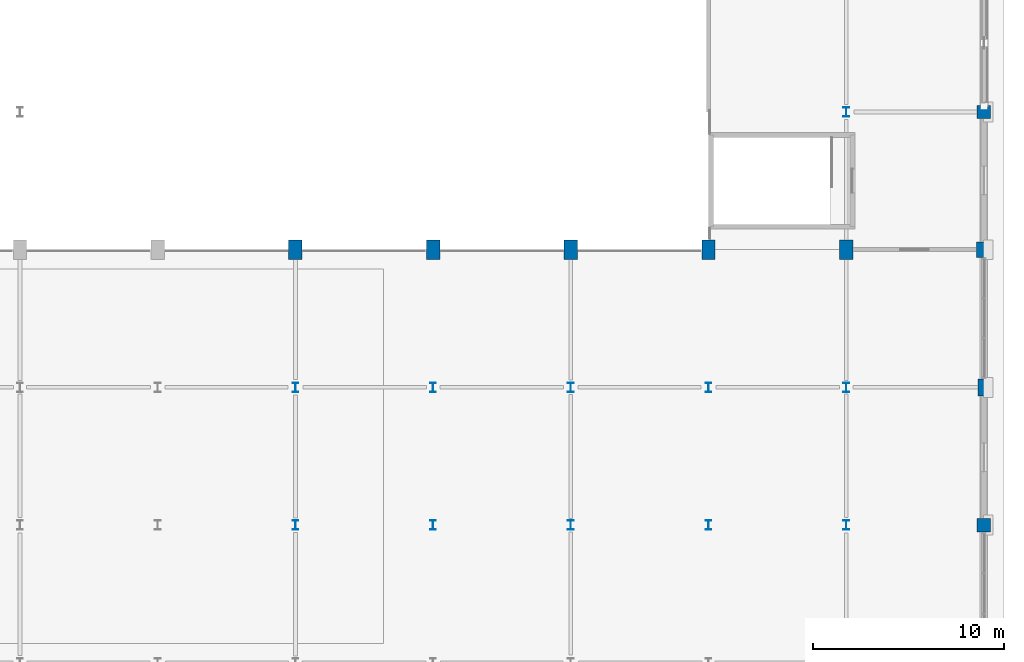
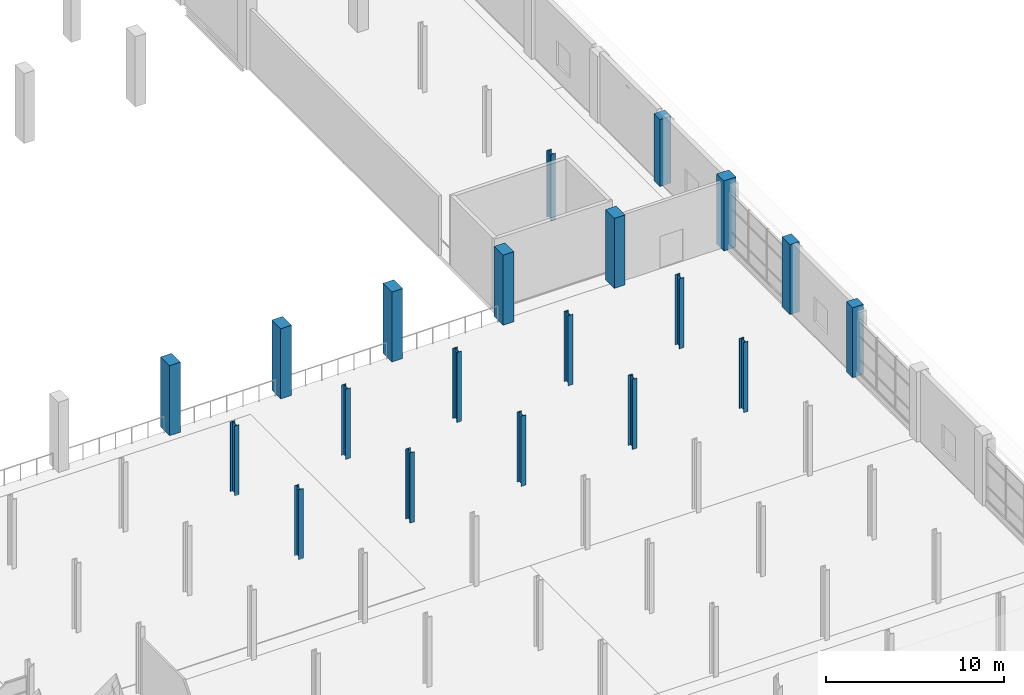
# One storey, part 14 of 82: 20 columns.
"""IFC4 building model written with IfcOpenShell, lengths in metres."""

from ifc_helpers import new_model, si_unit, direction, frame, origin, origin_2d, place, context, subcontext, project, spatial, rectangle, i_section, extrude, material, material_profile, profile_set, type_object, element, save


model = new_model("IFC4")

# Units and contexts
model_context = context("Model", 3, precision=1e-05, world=origin(), true_north=direction((0.0, 1.0)))
body_context = subcontext(model_context, "Body", "Model", "MODEL_VIEW")
ifc_project = project(units=[si_unit("LENGTHUNIT", "METRE"), si_unit("AREAUNIT", "SQUARE_METRE"), si_unit("VOLUMEUNIT", "CUBIC_METRE"), si_unit("PLANEANGLEUNIT", "RADIAN"), si_unit("MASSUNIT", "GRAM", prefix="KILO")], contexts=[model_context])

# Site, building, storey
site_placement = place(None, origin())
site = spatial("IfcSite", under=ifc_project, at=site_placement, CompositionType="ELEMENT")
building_placement = place(site_placement, origin())
building = spatial("IfcBuilding", under=site, at=building_placement, Name="Sardonyx Promenade Sports Hall", CompositionType="ELEMENT")
storey_placement = place(building_placement, frame((0.0, 0.0, 11.199951171875)))
storey = spatial("IfcBuildingStorey", under=building, at=storey_placement, Name="L02", CompositionType="ELEMENT", Elevation=11.199951171875)

# Columns
ifc_material_1 = material(Name="Concrete C40/50", Category="concrete")
ifc_material_profile_1 = material_profile(ifc_material_1, rectangle(XDim=0.60009765625, YDim=0.89990234375, at=origin_2d()))
ifc_profile_set_1 = profile_set([ifc_material_profile_1], Name="Concrete C40/50")
column_type_1 = type_object("IfcColumnType", Name="Col_Ext_RC600x900", PredefinedType="COLUMN", material=ifc_profile_set_1)
column_1_placement = place(storey_placement, frame((165.60009765625, 43.199951171875, 0.0), z_axis=(0.0, 0.0, 1.0), x_axis=(1.0, 0.0, 0.0)))
element("IfcColumn", 1, at=column_1_placement, inside=storey, type_object=column_type_1, Name="Column CE12 L02 (165.6,43.2)", PredefinedType="COLUMN", context=body_context, shape_type="SweptSolid", body=[
    extrude(rectangle(XDim=0.60009765625, YDim=0.89990234375, at=origin_2d()), origin(), (0.0, 0.0, 1.0), 4.800048828125),
])
ifc_material_2 = material(Name="Concrete C40/50", Category="concrete")
ifc_material_profile_2 = material_profile(ifc_material_2, rectangle(XDim=0.699951171875, YDim=0.699951171875, at=origin_2d()))
ifc_profile_set_2 = profile_set([ifc_material_profile_2], Name="Concrete C40/50")
column_type_2 = type_object("IfcColumnType", Name="Col_Ext_RC700", PredefinedType="COLUMN", material=ifc_profile_set_2)
column_2_placement = place(storey_placement, frame((165.60009765625, 36.0, 0.0), z_axis=(0.0, 0.0, 1.0), x_axis=(1.0, 0.0, 0.0)))
element("IfcColumn", 2, at=column_2_placement, inside=storey, type_object=column_type_2, Name="Column CE05 L02 (165.6,36.0)", PredefinedType="COLUMN", context=body_context, shape_type="SweptSolid", body=[
    extrude(rectangle(XDim=0.699951171875, YDim=0.699951171875, at=origin_2d()), origin(), (0.0, 0.0, 1.0), 4.800048828125),
])
column_3_placement = place(storey_placement, frame((165.60009765625, 57.60009765625, 0.0), z_axis=(0.0, 0.0, 1.0), x_axis=(1.0, 0.0, 0.0)))
element("IfcColumn", 3, at=column_3_placement, inside=storey, type_object=column_type_2, Name="Column CE05 L02 (165.6,57.6)", PredefinedType="COLUMN", context=body_context, shape_type="SweptSolid", body=[
    extrude(rectangle(XDim=0.699951171875, YDim=0.699951171875, at=origin_2d()), origin(), (0.0, 0.0, 1.0), 4.570068359375),
])
ifc_material_3 = material(Name="Concrete C50/60", Category="concrete")
ifc_material_profile_3 = material_profile(ifc_material_3, rectangle(XDim=0.699951171875, YDim=1.0, at=origin_2d()))
ifc_profile_set_3 = profile_set([ifc_material_profile_3], Name="Concrete C50/60")
column_type_3 = type_object("IfcColumnType", Name="Col_Ext_RC700x1000", PredefinedType="COLUMN", material=ifc_profile_set_3)
for number, where, z_axis, x_axis, name in (
    (4, (129.60009765625, 50.39990234375, 0.0), (0.0, 0.0, 1.0), (1.0, 0.0, 0.0), "Column CE02 L02 (129.6,50.4)"),
    (5, (136.800048828125, 50.39990234375, 0.0), (0.0, 0.0, 1.0), (1.0, 0.0, 0.0), "Column CE02 L02 (136.8,50.4)"),
    (6, (144.0, 50.39990234375, 0.0), (0.0, 0.0, 1.0), (1.0, 0.0, 0.0), "Column CE02 L02 (144.0,50.4)"),
    (7, (151.199951171875, 50.39990234375, 0.0), (0.0, 0.0, 1.0), (1.0, 0.0, 0.0), "Column CE02 L02 (151.2,50.4)"),
    (8, (158.39990234375, 50.39990234375, 0.0), (0.0, 0.0, 1.0), (1.0, 0.0, 0.0), "Column CE02 L02 (158.4,50.4)"),
):
    element("IfcColumn", number, at=place(storey_placement, frame(where, z_axis=z_axis, x_axis=x_axis)), inside=storey, type_object=column_type_3, Name=name, PredefinedType="COLUMN", context=body_context, shape_type="SweptSolid", body=[
        extrude(rectangle(XDim=0.699951171875, YDim=1.0, at=origin_2d()), origin(), (0.0, 0.0, 1.0), 4.800048828125),
    ])
ifc_material_4 = material(Name="Concrete C50/60", Category="concrete")
ifc_material_profile_4 = material_profile(ifc_material_4, rectangle(XDim=0.800048828125, YDim=0.800048828125, at=origin_2d()))
ifc_profile_set_4 = profile_set([ifc_material_profile_4], Name="Concrete C50/60")
column_type_4 = type_object("IfcColumnType", Name="Col_Ext_RC800", PredefinedType="COLUMN", material=ifc_profile_set_4)
column_4_placement = place(storey_placement, frame((165.60009765625, 50.39990234375, 0.0), z_axis=(0.0, 0.0, 1.0), x_axis=(1.0, 0.0, 0.0)))
element("IfcColumn", 9, at=column_4_placement, inside=storey, type_object=column_type_4, Name="Column CE13 L02 (165.6,50.4)", PredefinedType="COLUMN", context=body_context, shape_type="SweptSolid", body=[
    extrude(rectangle(XDim=0.800048828125, YDim=0.800048828125, at=origin_2d()), origin(), (0.0, 0.0, 1.0), 4.800048828125),
])
ifc_material_5 = material(Name="Steel S355JR", Category="steel")
ifc_material_profile_5 = material_profile(ifc_material_5, i_section(OverallWidth=0.300048828125, OverallDepth=0.489990234375, WebThickness=0.011962890625, FlangeThickness=0.02294921875, at=origin_2d()))
ifc_profile_set_5 = profile_set([ifc_material_profile_5], Name="Steel S355JR")
column_type_5 = type_object("IfcColumnType", Name="Col_Int_HEA500", PredefinedType="COLUMN", material=ifc_profile_set_5)
for number, where, z_axis, x_axis, name in (
    (10, (129.60009765625, 36.0, 0.0), (0.0, 0.0, 1.0), (1.0, 0.0, 0.0), "Column CI08 L02 (129.6,36.0)"),
    (11, (129.60009765625, 43.199951171875, 0.0), (0.0, 0.0, 1.0), (1.0, 0.0, 0.0), "Column CI08 L02 (129.6,43.2)"),
    (12, (136.800048828125, 36.0, 0.0), (0.0, 0.0, 1.0), (1.0, 0.0, 0.0), "Column CI08 L02 (136.8,36.0)"),
    (13, (136.800048828125, 43.199951171875, 0.0), (0.0, 0.0, 1.0), (1.0, 0.0, 0.0), "Column CI08 L02 (136.8,43.2)"),
    (14, (144.0, 36.0, 0.0), (0.0, 0.0, 1.0), (1.0, 0.0, 0.0), "Column CI08 L02 (144.0,36.0)"),
    (15, (144.0, 43.199951171875, 0.0), (0.0, 0.0, 1.0), (1.0, 0.0, 0.0), "Column CI08 L02 (144.0,43.2)"),
    (16, (151.199951171875, 36.0, 0.0), (0.0, 0.0, 1.0), (1.0, 0.0, 0.0), "Column CI08 L02 (151.2,36.0)"),
    (17, (151.199951171875, 43.199951171875, 0.0), (0.0, 0.0, 1.0), (1.0, 0.0, 0.0), "Column CI08 L02 (151.2,43.2)"),
    (18, (158.39990234375, 36.0, 0.0), (0.0, 0.0, 1.0), (1.0, 0.0, 0.0), "Column CI08 L02 (158.4,36.0)"),
    (19, (158.39990234375, 43.199951171875, 0.0), (0.0, 0.0, 1.0), (1.0, 0.0, 0.0), "Column CI08 L02 (158.4,43.2)"),
):
    element("IfcColumn", number, at=place(storey_placement, frame(where, z_axis=z_axis, x_axis=x_axis)), inside=storey, type_object=column_type_5, Name=name, PredefinedType="COLUMN", context=body_context, shape_type="SweptSolid", body=[
        extrude(i_section(OverallWidth=0.300048828125, OverallDepth=0.489990234375, WebThickness=0.011962890625, FlangeThickness=0.02294921875, at=origin_2d()), origin(), (0.0, 0.0, 1.0), 4.800048828125),
    ])
column_5_placement = place(storey_placement, frame((158.39990234375, 57.60009765625, 0.0), z_axis=(0.0, 0.0, 1.0), x_axis=(1.0, 0.0, 0.0)))
element("IfcColumn", 20, at=column_5_placement, inside=storey, type_object=column_type_5, Name="Column CI08 L02 (158.4,57.6)", PredefinedType="COLUMN", context=body_context, shape_type="SweptSolid", body=[
    extrude(i_section(OverallWidth=0.300048828125, OverallDepth=0.489990234375, WebThickness=0.011962890625, FlangeThickness=0.02294921875, at=origin_2d()), origin(), (0.0, 0.0, 1.0), 4.570068359375),
])

save(model, "model.ifc")
